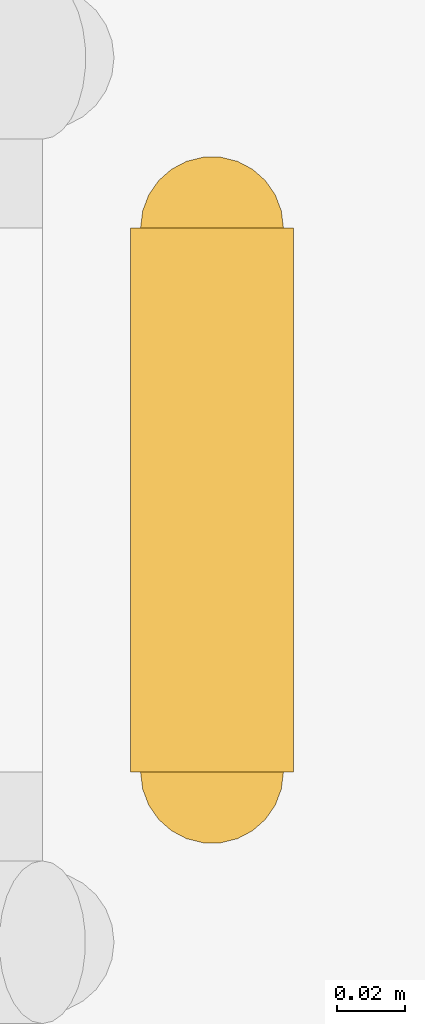
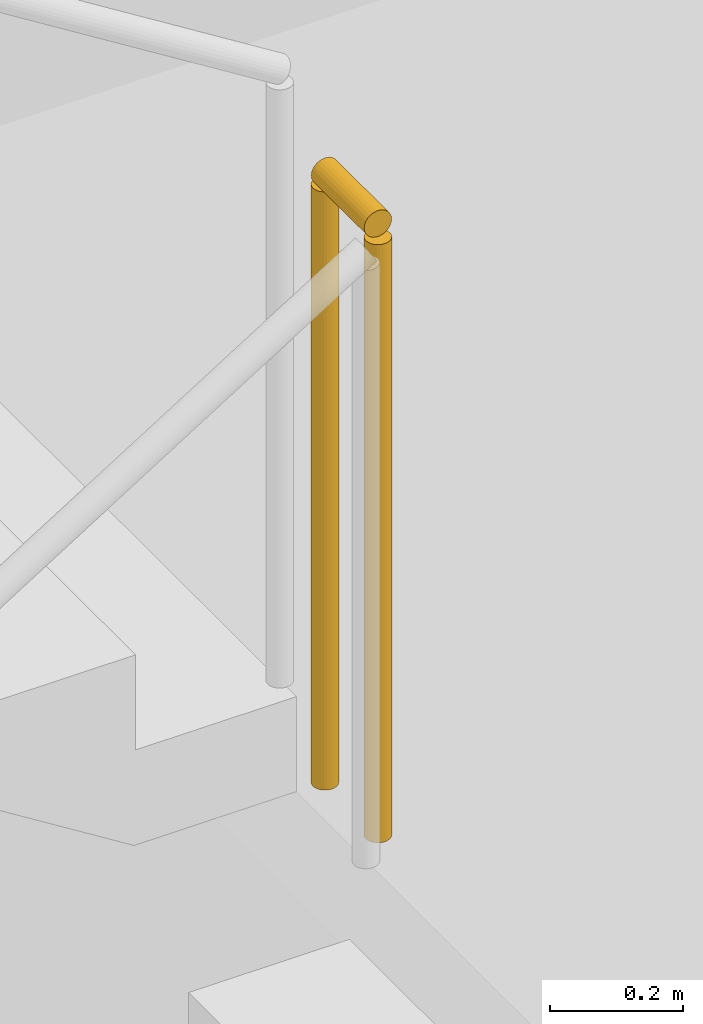
# One storey, part 14 of 16: 1 railing.
"""IFC4 building model written with IfcOpenShell, lengths in metres."""

from ifc_helpers import new_model, si_unit, direction, frame, origin, origin_2d, place, context, subcontext, project, spatial, circle, extrude, material, type_object, element, save


model = new_model("IFC4")

# Units and contexts
model_context = context("Model", 3, precision=1e-05, world=origin(), true_north=direction((0.0, 1.0)))
body_context = subcontext(model_context, "Body", "Model", "MODEL_VIEW")
ifc_project = project(units=[si_unit("LENGTHUNIT", "METRE"), si_unit("AREAUNIT", "SQUARE_METRE"), si_unit("VOLUMEUNIT", "CUBIC_METRE"), si_unit("PLANEANGLEUNIT", "RADIAN"), si_unit("MASSUNIT", "GRAM", prefix="KILO")], contexts=[model_context])

# Site, building, storey
site_placement = place(None, origin())
site = spatial("IfcSite", under=ifc_project, at=site_placement, CompositionType="ELEMENT")
building_placement = place(site_placement, origin())
building = spatial("IfcBuilding", under=site, at=building_placement, Name="Kolveth Station Tower", CompositionType="ELEMENT")
storey_placement = place(building_placement, frame((0.0, 0.0, -8.39990234375)))
storey = spatial("IfcBuildingStorey", under=building, at=storey_placement, Name="B2", CompositionType="ELEMENT", Elevation=-8.39990234375)

# Railing
ifc_material = material(Name="Painted Steel S355 balustrade", Category="steel")
railing_type = type_object("IfcRailingType", Name="Guard_GR2", PredefinedType="BALUSTRADE", material=ifc_material)
railing_placement = place(storey_placement, frame((60.8798828125, -8.449951171875, 2.099853515625)))
element("IfcRailing", 1, at=railing_placement, inside=storey, type_object=railing_type, Name="B2 ST4 stair guard 2", PredefinedType="BALUSTRADE", context=body_context, shape_type="SweptSolid", body=[
    extrude(circle(Radius=0.02392578125, at=origin_2d()), frame((0.0, 0.0, 1.1259765625), z_axis=(0.0, 1.0, 0.0), x_axis=(-1.0, 0.0, 0.0)), (0.0, 0.0, 1.0), 0.159912109375),
    extrude(circle(Radius=0.02099609375, at=origin_2d()), origin(), (0.0, 0.0, 1.0), 1.101806640625),
    extrude(circle(Radius=0.02099609375, at=origin_2d()), frame((0.0, 0.159912109375, 0.0)), (0.0, 0.0, 1.0), 1.101806640625),
])

save(model, "model.ifc")
